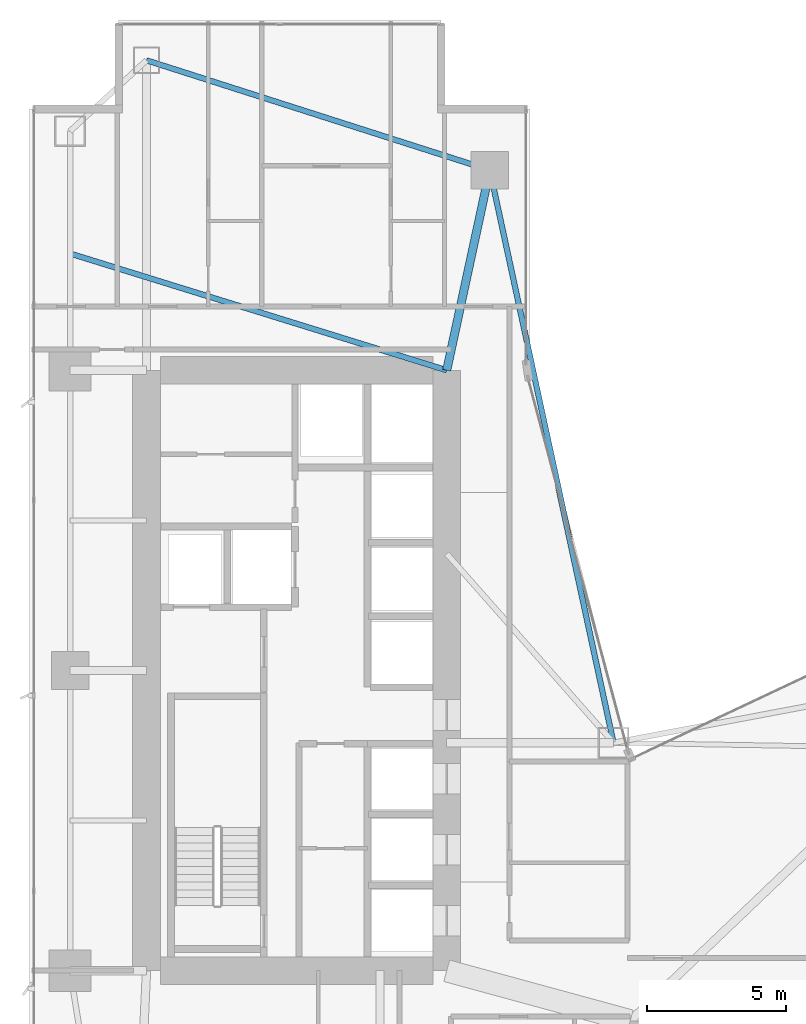
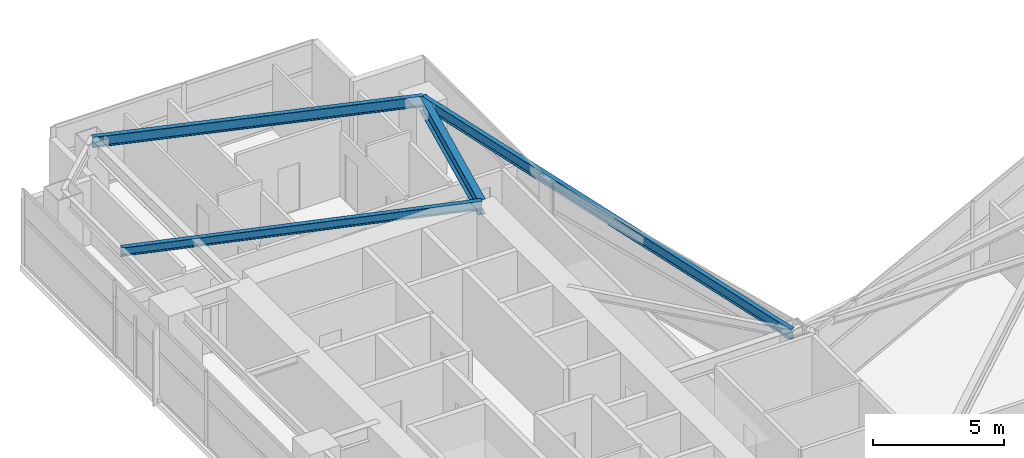
# One storey, part 16 of 28: 4 beams.
"""IFC4 building model written with IfcOpenShell, lengths in metres."""

import ifcopenshell
import ifcopenshell.guid

model = None  # the IFC model being written
_history = None  # IfcOwnerHistory: only IFC2X3 demands one
_inside = {}  # id of a spatial element -> (the spatial element, [elements in it])
_under = {}  # id of a project, library or spatial element -> (it, [spatial elements below it])
_declared = {}  # id of a project -> (the project, [libraries it declares])
_typed = {}  # id of a type object -> (the type object, [elements of that type])
_made_of = {}  # id of a material, layer set ... -> (it, [elements and type objects made of it])


def new_model(schema):
    """Start an empty IFC model of exactly this schema.

    Asked for "IFC4X3", IfcOpenShell would pick the latest addendum, in which some entities
    have other attributes; the version numbers below select the first issue.
    IFC2X3 requires an IfcOwnerHistory on every rooted entity: one is made here for all.
    """
    global model, _history
    if schema == "IFC4X3":
        model = ifcopenshell.file(schema_version=(4, 3, 0, 0))
    else:
        model = ifcopenshell.file(schema=schema)
    _inside.clear()
    _under.clear()
    _declared.clear()
    _typed.clear()
    _made_of.clear()
    _history = None
    if model.schema == "IFC2X3":
        org = make("IfcOrganization", Name="unknown")
        user = make(
            "IfcPersonAndOrganization",
            ThePerson=make("IfcPerson", FamilyName="unknown"),
            TheOrganization=org,
        )
        app = make(
            "IfcApplication",
            ApplicationDeveloper=org,
            Version="unknown",
            ApplicationFullName="unknown",
            ApplicationIdentifier="unknown",
        )
        _history = make(
            "IfcOwnerHistory",
            OwningUser=user,
            OwningApplication=app,
            ChangeAction="ADDED",
            CreationDate=0,
        )
    return model


def make(cls, **values):
    """One entity of the class cls with the attributes given. An attribute that is None is left unset."""
    return model.create_entity(
        cls, **{name: value for name, value in values.items() if value is not None}
    )


def rooted(cls, **values):
    """An entity with a GlobalId (a new one), such as an element, a storey or a relation."""
    return make(cls, GlobalId=ifcopenshell.guid.new(), OwnerHistory=_history, **values)


def si_unit(unit_type, name, prefix=None):
    """IfcSIUnit, for example si_unit("LENGTHUNIT", "METRE", prefix="MILLI")."""
    return make("IfcSIUnit", UnitType=unit_type, Prefix=prefix, Name=name)


def assignment(units):
    """IfcUnitAssignment: the units of a project."""
    return None if units is None else make("IfcUnitAssignment", Units=units)


def point(xyz):
    """IfcCartesianPoint."""
    return None if xyz is None else make("IfcCartesianPoint", Coordinates=xyz)


def direction(xyz):
    """IfcDirection."""
    return None if xyz is None else make("IfcDirection", DirectionRatios=xyz)


def frame(location, z_axis=None, x_axis=None):
    """IfcAxis2Placement3D, a coordinate frame: its origin and axes. An axis left out is left unset."""
    return make(
        "IfcAxis2Placement3D",
        Location=point(location),
        Axis=direction(z_axis),
        RefDirection=direction(x_axis),
    )


def frame_2d(location, x_axis=None):
    """IfcAxis2Placement2D, a coordinate frame in the plane: its origin and x axis."""
    return make(
        "IfcAxis2Placement2D", Location=point(location), RefDirection=direction(x_axis)
    )


def origin():
    """The frame at (0, 0, 0) with its axes left unset."""
    return frame((0.0, 0.0, 0.0))


def origin_2d():
    """The frame at (0, 0) in the plane with its x axis left unset."""
    return frame_2d((0.0, 0.0))


def place(relative_to, where):
    """IfcLocalPlacement: puts the frame where relative to a parent placement (None: the world)."""
    return make(
        "IfcLocalPlacement", PlacementRelTo=relative_to, RelativePlacement=where
    )


def context(
    kind, dimensions, precision=None, world=None, true_north=None, identifier=None
):
    """IfcGeometricRepresentationContext, for example the 3D "Model" context."""
    return make(
        "IfcGeometricRepresentationContext",
        ContextIdentifier=identifier,
        ContextType=kind,
        CoordinateSpaceDimension=dimensions,
        Precision=precision,
        WorldCoordinateSystem=world,
        TrueNorth=true_north,
    )


def subcontext(parent, identifier, kind, view, scale=None):
    """IfcGeometricRepresentationSubContext, for example "Body" below "Model"."""
    return make(
        "IfcGeometricRepresentationSubContext",
        ContextIdentifier=identifier,
        ContextType=kind,
        ParentContext=parent,
        TargetScale=scale,
        TargetView=view,
    )


def project(units=None, contexts=None):
    """IfcProject with its units and contexts."""
    return rooted(
        "IfcProject",
        Name="project",
        RepresentationContexts=contexts,
        UnitsInContext=assignment(units),
    )


def spatial(cls, under=None, at=None, **own):
    """A site, building, storey or space (cls), placed at a placement, below another one or the project."""
    s = rooted(cls, ObjectPlacement=at, **own)
    if under is not None:
        _under.setdefault(under.id(), (under, []))[1].append(s)
    return s


def profile(cls, at=None, kind="AREA", **sizes):
    """A parametric profile (cls). Its sizes go by their IFC names, for example OverallWidth=200.0."""
    return make(cls, ProfileType=kind, Position=at, **sizes)


def i_section(**sizes):
    """IfcIShapeProfileDef."""
    return profile("IfcIShapeProfileDef", **sizes)


def extrude(swept, where, along, depth):
    """IfcExtrudedAreaSolid: the profile swept, set in the frame where, extruded along a direction by depth."""
    return make(
        "IfcExtrudedAreaSolid",
        SweptArea=swept,
        Position=where,
        ExtrudedDirection=direction(along),
        Depth=depth,
    )


def shape(context_of_items, identifier, shape_type, items):
    """IfcShapeRepresentation: the items that make up one representation, for example the "Body"."""
    return make(
        "IfcShapeRepresentation",
        ContextOfItems=context_of_items,
        RepresentationIdentifier=identifier,
        RepresentationType=shape_type,
        Items=items,
    )


def material(Name=None, Category=None):
    """IfcMaterial."""
    return make("IfcMaterial", Name=Name, Category=Category)


def material_profile(
    of_material, cross_section, Name=None, Category=None, Priority=None
):
    """IfcMaterialProfile: a cross section and its material."""
    return make(
        "IfcMaterialProfile",
        Name=Name,
        Material=of_material,
        Profile=cross_section,
        Priority=Priority,
        Category=Category,
    )


def profile_set(profiles, Name=None, composite=None):
    """IfcMaterialProfileSet."""
    return make(
        "IfcMaterialProfileSet",
        Name=Name,
        MaterialProfiles=profiles,
        CompositeProfile=composite,
    )


def made_of(thing, what):
    """Note that an element or type object is made of a material, layer set ...; save() writes the relation."""
    if what is not None:
        _made_of.setdefault(what.id(), (what, []))[1].append(thing)
    return thing


def type_object(cls, material=None, **own):
    """A type object (cls), such as IfcWallType, which elements share."""
    return made_of(rooted(cls, **own), material)


def element(
    cls,
    number,
    at=None,
    inside=None,
    cuts=None,
    type_object=None,
    material=None,
    context=None,
    identifier="Body",
    shape_type=None,
    held_by="IfcProductDefinitionShape",
    body=None,
    shapes=None,
    **own,
):
    """One element of the class cls, such as IfcWall. Its Tag is "e" and its number.

    at: its placement. inside: the storey or other place that contains it. cuts: it is an
    opening in that element (IfcRelVoidsElement). A single representation is given by context,
    identifier, shape_type and body (its items); several are given by shapes. held_by: the class
    of the entity that holds the representations. save() writes the other relations.
    """
    e = rooted(cls, Tag="e%d" % number, ObjectPlacement=at, **own)
    if body is not None:
        shapes = [shape(context, identifier, shape_type, body)]
    if shapes is not None:
        e.Representation = make(held_by, Representations=shapes)
    if inside is not None:
        _inside.setdefault(inside.id(), (inside, []))[1].append(e)
    if cuts is not None:
        rooted(
            "IfcRelVoidsElement", RelatingBuildingElement=cuts, RelatedOpeningElement=e
        )
    if type_object is not None:
        _typed.setdefault(type_object.id(), (type_object, []))[1].append(e)
    return made_of(e, material)


def aggregate(whole, parts):
    """IfcRelAggregates: a whole, such as a stair, and the parts it consists of."""
    return rooted("IfcRelAggregates", RelatingObject=whole, RelatedObjects=parts)


def save(model, path):
    """Write the relations noted so far, then the file.

    IfcRelAggregates (storeys below a building ...), IfcRelContainedInSpatialStructure (elements
    in a storey), IfcRelDefinesByType, IfcRelAssociatesMaterial and IfcRelDeclares: one each for
    every whole, place, type object, material and project.
    """
    for whole, parts in _under.values():
        aggregate(whole, parts)
    for where, things in _inside.values():
        rooted(
            "IfcRelContainedInSpatialStructure",
            RelatedElements=things,
            RelatingStructure=where,
        )
    for kind, things in _typed.values():
        rooted("IfcRelDefinesByType", RelatedObjects=things, RelatingType=kind)
    for what, things in _made_of.values():
        rooted("IfcRelAssociatesMaterial", RelatedObjects=things, RelatingMaterial=what)
    for by, libraries in _declared.values():
        rooted("IfcRelDeclares", RelatingContext=by, RelatedDefinitions=libraries)
    model.write(path)


model = new_model("IFC4")

# Units and contexts
model_context = context("Model", 3, precision=1e-05, world=origin(), true_north=direction((0.0, 1.0)))
body_context = subcontext(model_context, "Body", "Model", "MODEL_VIEW")
ifc_project = project(units=[si_unit("LENGTHUNIT", "METRE"), si_unit("AREAUNIT", "SQUARE_METRE"), si_unit("VOLUMEUNIT", "CUBIC_METRE"), si_unit("PLANEANGLEUNIT", "RADIAN"), si_unit("MASSUNIT", "GRAM", prefix="KILO")], contexts=[model_context])

# Site, building, storey
site_placement = place(None, origin())
site = spatial("IfcSite", under=ifc_project, at=site_placement, CompositionType="ELEMENT")
building_placement = place(site_placement, origin())
building = spatial("IfcBuilding", under=site, at=building_placement, Name="Calvorn Quay Hotel", CompositionType="ELEMENT")
storey_placement = place(building_placement, frame((0.0, 0.0, 88.800048828125)))
storey = spatial("IfcBuildingStorey", under=building, at=storey_placement, Name="L21", CompositionType="ELEMENT", Elevation=88.800048828125)

# Beams
ifc_material_1 = material(Name="Steel Q390GJC", Category="steel")
ifc_material_profile_1 = material_profile(ifc_material_1, i_section(OverallWidth=0.300048828125, OverallDepth=0.699951171875, WebThickness=0.012939453125, FlangeThickness=0.02392578125, FilletRadius=0.02392578125, at=origin_2d()), Name="HN700x300x13x24")
ifc_profile_set_1 = profile_set([ifc_material_profile_1], Name="Steel Q390GJC")
beam_type_1 = type_object("IfcBeamType", Name="BM-GIRD-MAIN", PredefinedType="BEAM", material=ifc_profile_set_1)
beam_1_placement = place(storey_placement, frame((16.550048828125, 45.60009765625, 3.169921875), z_axis=(-0.210457140491, -0.97760308511, 0.0), x_axis=(0.97760308511, -0.210457140491, 0.0)))
element("IfcBeam", 1, at=beam_1_placement, inside=storey, type_object=beam_type_1, Name="Beam BG-L21-W6", PredefinedType="BEAM", context=body_context, shape_type="SweptSolid", body=[
    extrude(i_section(OverallWidth=0.300048828125, OverallDepth=0.699951171875, WebThickness=0.012939453125, FlangeThickness=0.02392578125, FilletRadius=0.02392578125, at=origin_2d()), origin(), (0.0, 0.0, 1.0), 7.365234375),
])
ifc_material_2 = material(Name="Steel Q355B", Category="steel")
ifc_material_profile_2 = material_profile(ifc_material_2, i_section(OverallWidth=0.199951171875, OverallDepth=0.39990234375, WebThickness=0.008056640625, FlangeThickness=0.012939453125, FilletRadius=0.01611328125, at=origin_2d()), Name="HN400x200x8x13")
ifc_profile_set_2 = profile_set([ifc_material_profile_2], Name="Steel Q355B")
beam_type_2 = type_object("IfcBeamType", Name="BM-JOIST-TYP", PredefinedType="JOIST", material=ifc_profile_set_2)
beam_2_placement = place(storey_placement, frame((1.449951171875, 42.60009765625, 3.320068359375), z_axis=(0.955163702122, -0.296078202759, 0.0), x_axis=(0.296078202759, 0.955163702122, 0.0)))
element("IfcBeam", 2, at=beam_2_placement, inside=storey, type_object=beam_type_2, Name="Beam BJ-L21-W2", PredefinedType="JOIST", context=body_context, shape_type="SweptSolid", body=[
    extrude(i_section(OverallWidth=0.199951171875, OverallDepth=0.39990234375, WebThickness=0.008056640625, FlangeThickness=0.012939453125, FilletRadius=0.01611328125, at=origin_2d()), origin(), (0.0, 0.0, 1.0), 14.18603515625),
])
ifc_material_3 = material(Name="Steel Q355B", Category="steel")
ifc_material_profile_3 = material_profile(ifc_material_3, i_section(OverallWidth=0.199951171875, OverallDepth=0.5, WebThickness=0.010009765625, FlangeThickness=0.01611328125, FilletRadius=0.01611328125, at=origin_2d()), Name="HN500x200x10x16")
ifc_profile_set_3 = profile_set([ifc_material_profile_3], Name="Steel Q355B")
beam_type_3 = type_object("IfcBeamType", Name="BM-SPANDREL-Z1", PredefinedType="SPANDREL", material=ifc_profile_set_3)
beam_3_placement = place(storey_placement, frame((4.199951171875, 49.550048828125, 3.27001953125), z_axis=(0.952470702374, -0.304630203885, 0.0), x_axis=(0.304630203885, 0.952470702374, 0.0)))
element("IfcBeam", 3, at=beam_3_placement, inside=storey, type_object=beam_type_3, Name="Beam BSP-L21-W6", PredefinedType="SPANDREL", context=body_context, shape_type="SweptSolid", body=[
    extrude(i_section(OverallWidth=0.199951171875, OverallDepth=0.5, WebThickness=0.010009765625, FlangeThickness=0.01611328125, FilletRadius=0.01611328125, at=origin_2d()), origin(), (0.0, 0.0, 1.0), 12.96630859375),
])
beam_4_placement = place(storey_placement, frame((16.550048828125, 45.60009765625, 3.27001953125), z_axis=(0.211145848376, -0.977454567084, 0.0), x_axis=(0.977454567084, 0.211145848376, 0.0)))
element("IfcBeam", 4, at=beam_4_placement, inside=storey, type_object=beam_type_3, Name="Beam BSP-L21-W7", PredefinedType="SPANDREL", context=body_context, shape_type="SweptSolid", body=[
    extrude(i_section(OverallWidth=0.199951171875, OverallDepth=0.5, WebThickness=0.010009765625, FlangeThickness=0.01611328125, FilletRadius=0.01611328125, at=origin_2d()), origin(), (0.0, 0.0, 1.0), 21.0751953125),
])

save(model, "model.ifc")
